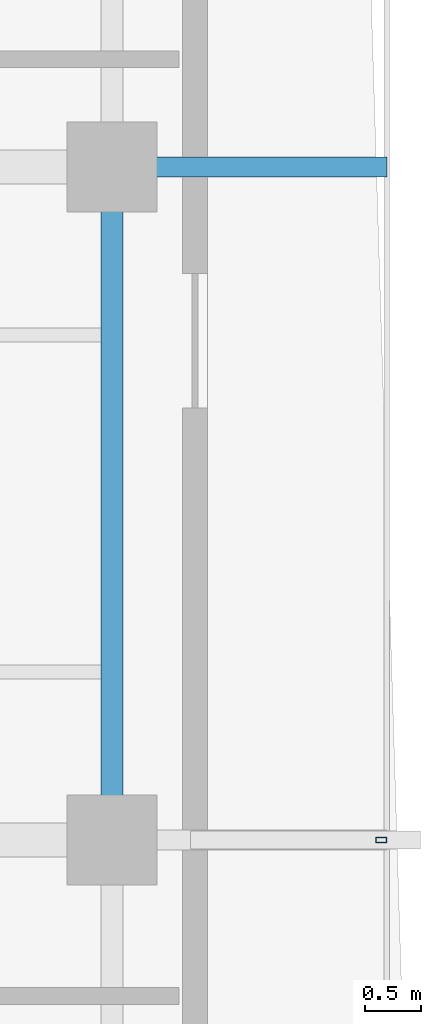
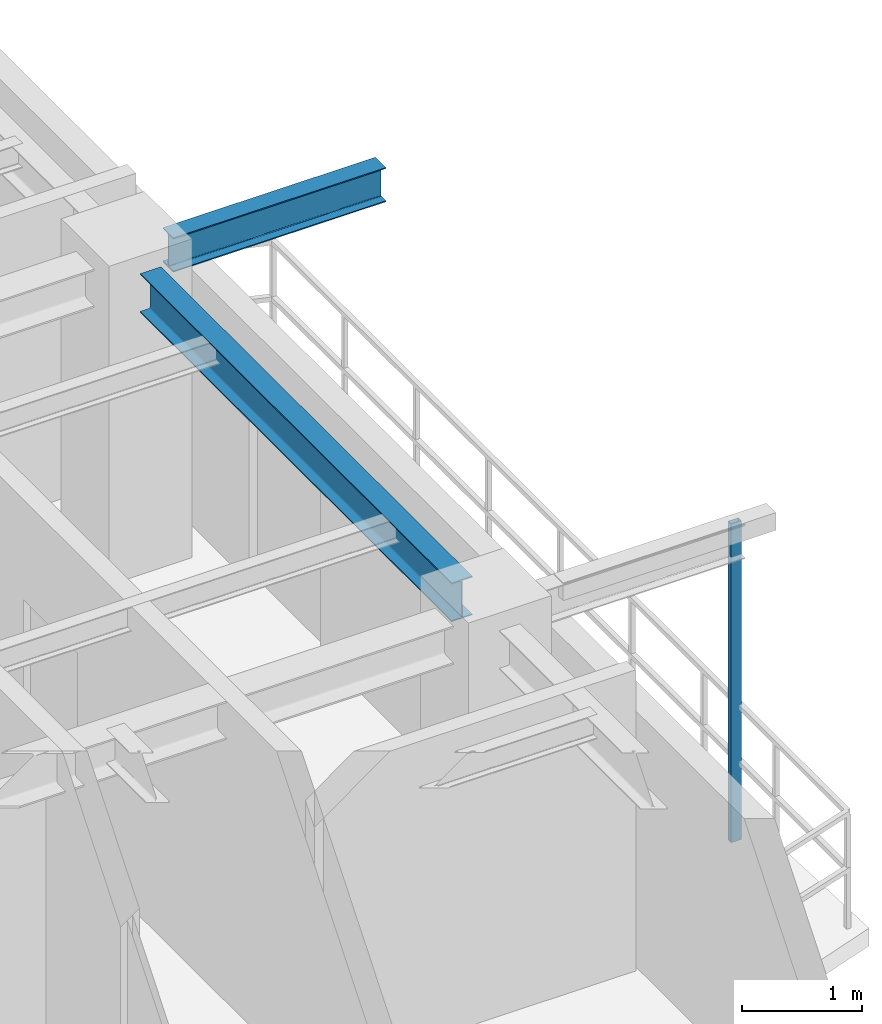
# One storey, part 7 of 15: 2 beams, 1 member.
"""IFC4 building model written with IfcOpenShell, lengths in metres."""

from ifc_helpers import new_model, si_unit, direction, frame, origin, origin_2d, place, context, subcontext, project, spatial, hollow_rectangle, i_section, extrude, source, transform, mapped, material, material_profile, profile_set, type_object, element, save


model = new_model("IFC4")

# Units and contexts
model_context = context("Model", 3, precision=1e-05, world=origin(), true_north=direction((0.0, 1.0)))
body_context = subcontext(model_context, "Body", "Model", "MODEL_VIEW")
ifc_project = project(units=[si_unit("LENGTHUNIT", "METRE"), si_unit("AREAUNIT", "SQUARE_METRE"), si_unit("VOLUMEUNIT", "CUBIC_METRE"), si_unit("PLANEANGLEUNIT", "RADIAN"), si_unit("MASSUNIT", "GRAM", prefix="KILO"), si_unit("THERMODYNAMICTEMPERATUREUNIT", "KELVIN"), si_unit("POWERUNIT", "WATT")], contexts=[model_context])

# Site, building, storey
site_placement = place(None, origin())
site = spatial("IfcSite", under=ifc_project, at=site_placement, CompositionType="ELEMENT")
building_placement = place(site_placement, origin())
building = spatial("IfcBuilding", under=site, at=building_placement, Name="Qiaomeng Ring Towers", CompositionType="ELEMENT")
storey_placement = place(building_placement, frame((0.0, 0.0, 206.75)))
storey = spatial("IfcBuildingStorey", under=building, at=storey_placement, Name="L60", CompositionType="ELEMENT", Elevation=206.75)

# Beams
ifc_material_1 = material(Name="Steel Q355B", Category="steel")
ifc_material_profile_1 = material_profile(ifc_material_1, i_section(OverallWidth=0.198974609375, OverallDepth=0.39599609375, WebThickness=0.007080078125, FlangeThickness=0.010986328125, FilletRadius=0.01611328125, at=origin_2d()), Name="HN 396x199x7x11")
ifc_profile_set_1 = profile_set([ifc_material_profile_1], Name="Steel Q355B")
beam_type_1 = type_object("IfcBeamType", Name="STR-BM-HN396", PredefinedType="SPANDREL", material=ifc_profile_set_1)
shared_shape_1 = source(origin(), body_context, "Body", "SweptSolid", [
    extrude(i_section(OverallWidth=0.198974609375, OverallDepth=0.39599609375, WebThickness=0.007080078125, FlangeThickness=0.010986328125, FilletRadius=0.01611328125, at=origin_2d()), origin(), (0.0, 0.0, 1.0), 5.2021484375),
])
beam_1_placement = place(storey_placement, frame((34.949951171875, 20.39892578125, 2.8720703125), z_axis=(0.0, 1.0, 0.0), x_axis=(-1.0, 0.0, 0.0)))
element("IfcBeam", 1, at=beam_1_placement, inside=storey, type_object=beam_type_1, Name="L60 beam STR-SP-L60-T1-E2-E3", PredefinedType="SPANDREL", context=body_context, shape_type="MappedRepresentation", body=[
    mapped(shared_shape_1, transform((0.0, 0.0, 0.0), x_axis=(1.0, 0.0, 0.0), y_axis=(0.0, 1.0, 0.0), z_axis=(0.0, 0.0, 1.0), scale=1.0)),
])
ifc_material_profile_2 = material_profile(ifc_material_1, i_section(OverallWidth=0.175048828125, OverallDepth=0.35009765625, WebThickness=0.007080078125, FlangeThickness=0.010986328125, FilletRadius=0.013916015625, at=origin_2d()), Name="HN 350x175x7x11")
ifc_profile_set_2 = profile_set([ifc_material_profile_2], Name="Steel Q355B")
beam_type_2 = type_object("IfcBeamType", Name="STR-BM-HN350", PredefinedType="JOIST", material=ifc_profile_set_2)
shared_shape_2 = source(origin(), body_context, "Body", "SweptSolid", [
    extrude(i_section(OverallWidth=0.175048828125, OverallDepth=0.35009765625, WebThickness=0.007080078125, FlangeThickness=0.010986328125, FilletRadius=0.013916015625, at=origin_2d()), origin(), (0.0, 0.0, 1.0), 2.05078125),
])
beam_2_placement = place(storey_placement, frame((35.34912109375, 26.0, 2.89501953125), z_axis=(1.0, 0.0, 0.0), x_axis=(0.0, 1.0, 0.0)))
element("IfcBeam", 2, at=beam_2_placement, inside=storey, type_object=beam_type_2, Name="L60 beam STR-BALBM-L60-E3", PredefinedType="JOIST", context=body_context, shape_type="MappedRepresentation", body=[
    mapped(shared_shape_2, transform((0.0, 0.0, 0.0), x_axis=(1.0, 0.0, 0.0), y_axis=(0.0, 1.0, 0.0), z_axis=(0.0, 0.0, 1.0), scale=1.0)),
])

# Member
ifc_material_2 = material(Name="Stainless steel 316", Category="steel")
ifc_material_profile_3 = material_profile(ifc_material_2, hollow_rectangle(XDim=0.050048828125, YDim=0.10009765625, WallThickness=0.00390625, at=origin_2d()), Name="SS TRELLIS 100x50")
ifc_profile_set_3 = profile_set([ifc_material_profile_3], Name="Stainless steel 316")
member_type = type_object("IfcMemberType", Name="ARC-TR-POST2", PredefinedType="STUD", material=ifc_profile_set_3)
shared_shape_3 = source(origin(), body_context, "Body", "SweptSolid", [
    extrude(hollow_rectangle(XDim=0.050048828125, YDim=0.10009765625, WallThickness=0.00390625, at=origin_2d()), origin(), (0.0, 0.0, 1.0), 3.25),
])
member_placement = place(storey_placement, frame((37.35009765625, 20.0, -0.179931640625), z_axis=(0.0, 0.0, 1.0), x_axis=(0.0, 1.0, 0.0)))
element("IfcMember", 3, at=member_placement, inside=storey, type_object=member_type, Name="L60 Outer Ventilated Trellis Post E", PredefinedType="STUD", context=body_context, shape_type="MappedRepresentation", body=[
    mapped(shared_shape_3, transform((0.0, 0.0, 0.0), x_axis=(1.0, 0.0, 0.0), y_axis=(0.0, 1.0, 0.0), z_axis=(0.0, 0.0, 1.0), scale=1.0)),
])

save(model, "model.ifc")
